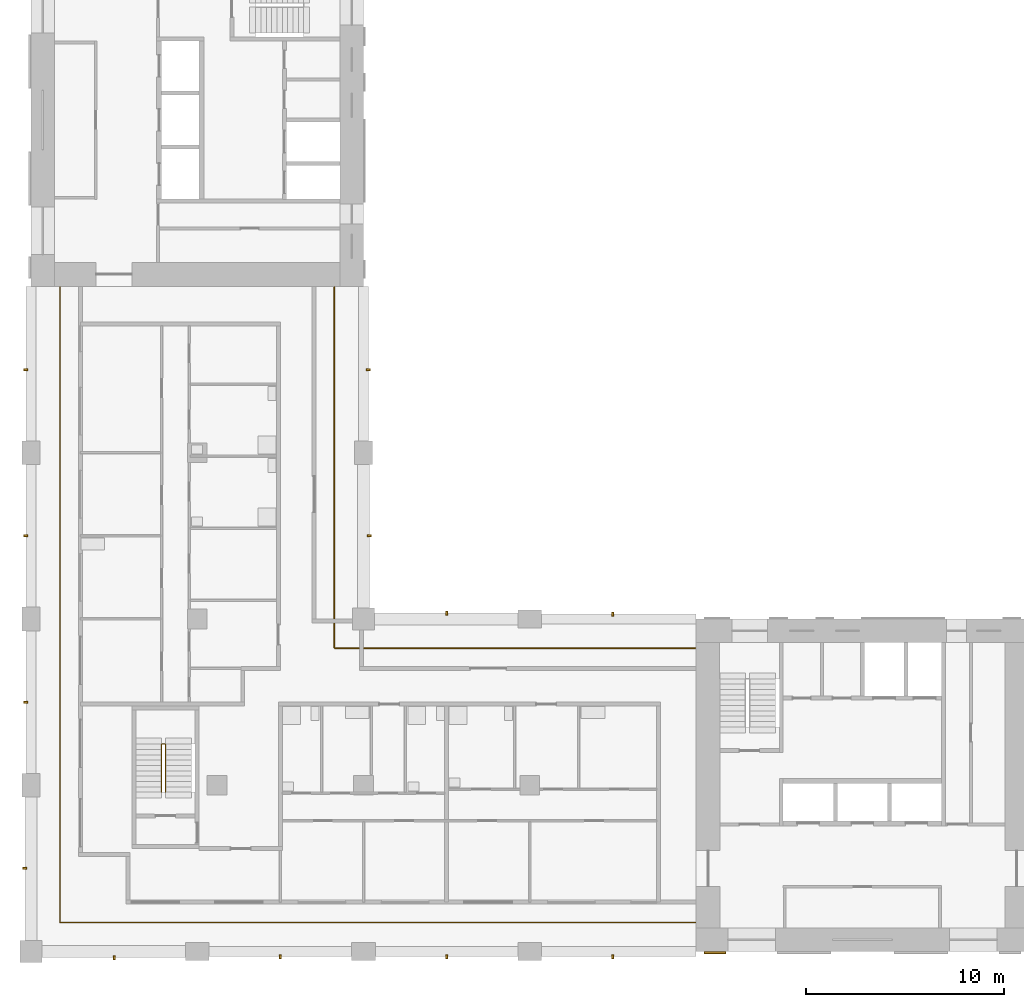
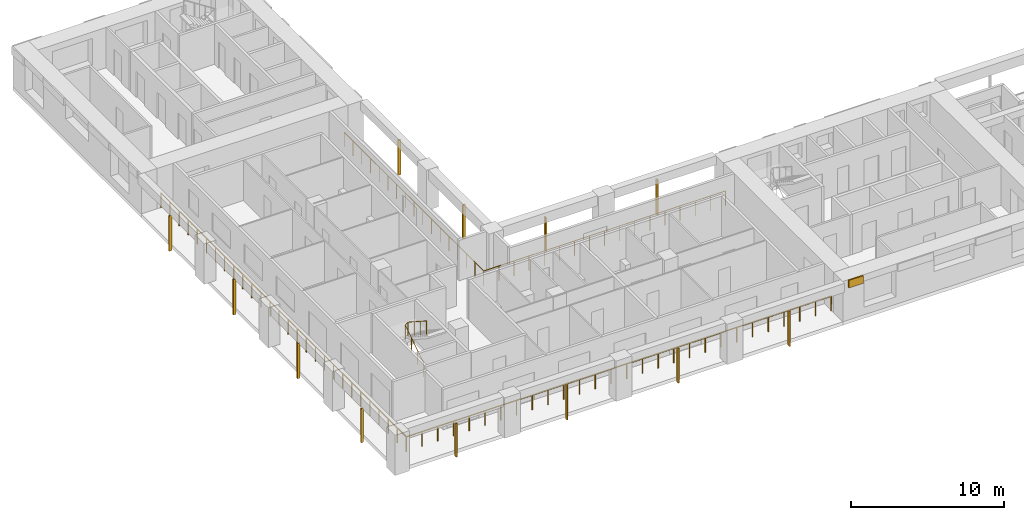
# One storey, part 7 of 10: 13 shading devices, 3 railings.
"""IFC4 building model written with IfcOpenShell, lengths in metres."""

from ifc_helpers import new_model, si_unit, direction, frame, origin, origin_2d, place, context, subcontext, project, spatial, rectangle, circle, extrude, material, layer, layer_set, material_profile, profile_set, type_object, element, save


model = new_model("IFC4")

# Units and contexts
model_context = context("Model", 3, precision=1e-05, world=origin(), true_north=direction((0.0, 1.0)))
body_context = subcontext(model_context, "Body", "Model", "MODEL_VIEW")
ifc_project = project(units=[si_unit("LENGTHUNIT", "METRE"), si_unit("AREAUNIT", "SQUARE_METRE"), si_unit("VOLUMEUNIT", "CUBIC_METRE"), si_unit("PLANEANGLEUNIT", "RADIAN"), si_unit("MASSUNIT", "GRAM", prefix="KILO")], contexts=[model_context])

# Site, building, storey
site_placement = place(None, origin())
site = spatial("IfcSite", under=ifc_project, at=site_placement, CompositionType="ELEMENT")
building_placement = place(site_placement, origin())
building = spatial("IfcBuilding", under=site, at=building_placement, Name="Vermilion Gate Residences", CompositionType="ELEMENT")
storey_placement = place(building_placement, frame((0.0, 0.0, 168.699951171875)))
storey = spatial("IfcBuildingStorey", under=building, at=storey_placement, Name="L43", CompositionType="ELEMENT", Elevation=168.699951171875)

# Railings
ifc_material_1 = material(Name="Stainless steel and toughened glass", Category="steel")
railing_type_1 = type_object("IfcRailingType", Name="LOGGIA GUARD STEEL AND GLASS 1200", PredefinedType="GUARDRAIL", material=ifc_material_1)
railing_1_placement = place(storey_placement, frame((41.97802734375, 23.72509765625, 0.0)))
element("IfcRailing", 1, at=railing_1_placement, inside=storey, type_object=railing_type_1, Name="Loggia guard", PredefinedType="GUARDRAIL", context=body_context, shape_type="SweptSolid", body=[
    extrude(circle(Radius=0.030029296875, at=origin_2d()), frame((0.0, 0.0, 1.169921875), z_axis=(-1.0, 0.0, 0.0), x_axis=(0.0, -1.0, 0.0)), (0.0, 0.0, 1.0), 18.2529296875),
    extrude(circle(Radius=0.030029296875, at=origin_2d()), frame((-18.2529296875, 0.0, 1.169921875), z_axis=(0.0, 1.0, 0.0), x_axis=(-1.0, 0.0, 0.0)), (0.0, 0.0, 1.0), 18.2529296875),
    extrude(circle(Radius=0.02490234375, at=origin_2d()), origin(), (0.0, 0.0, 1.0), 1.139892578125),
    extrude(circle(Radius=0.02490234375, at=origin_2d()), frame((-1.140869140625, 0.0, 0.0)), (0.0, 0.0, 1.0), 1.139892578125),
    extrude(circle(Radius=0.02490234375, at=origin_2d()), frame((-2.28173828125, 0.0, 0.0)), (0.0, 0.0, 1.0), 1.139892578125),
    extrude(circle(Radius=0.02490234375, at=origin_2d()), frame((-3.42236328125, 0.0, 0.0)), (0.0, 0.0, 1.0), 1.139892578125),
    extrude(circle(Radius=0.02490234375, at=origin_2d()), frame((-4.563232421875, 0.0, 0.0)), (0.0, 0.0, 1.0), 1.139892578125),
    extrude(circle(Radius=0.02490234375, at=origin_2d()), frame((-5.7041015625, 0.0, 0.0)), (0.0, 0.0, 1.0), 1.139892578125),
    extrude(circle(Radius=0.02490234375, at=origin_2d()), frame((-6.8447265625, 0.0, 0.0)), (0.0, 0.0, 1.0), 1.139892578125),
    extrude(circle(Radius=0.02490234375, at=origin_2d()), frame((-7.985595703125, 0.0, 0.0)), (0.0, 0.0, 1.0), 1.139892578125),
    extrude(circle(Radius=0.02490234375, at=origin_2d()), frame((-9.12646484375, 0.0, 0.0)), (0.0, 0.0, 1.0), 1.139892578125),
    extrude(circle(Radius=0.02490234375, at=origin_2d()), frame((-10.267333984375, 0.0, 0.0)), (0.0, 0.0, 1.0), 1.139892578125),
    extrude(circle(Radius=0.02490234375, at=origin_2d()), frame((-11.408203125, 0.0, 0.0)), (0.0, 0.0, 1.0), 1.139892578125),
    extrude(circle(Radius=0.02490234375, at=origin_2d()), frame((-12.548828125, 0.0, 0.0)), (0.0, 0.0, 1.0), 1.139892578125),
    extrude(circle(Radius=0.02490234375, at=origin_2d()), frame((-13.689697265625, 0.0, 0.0)), (0.0, 0.0, 1.0), 1.139892578125),
    extrude(circle(Radius=0.02490234375, at=origin_2d()), frame((-14.83056640625, 0.0, 0.0)), (0.0, 0.0, 1.0), 1.139892578125),
    extrude(circle(Radius=0.02490234375, at=origin_2d()), frame((-15.97119140625, 0.0, 0.0)), (0.0, 0.0, 1.0), 1.139892578125),
    extrude(circle(Radius=0.02490234375, at=origin_2d()), frame((-17.112060546875, 0.0, 0.0)), (0.0, 0.0, 1.0), 1.139892578125),
    extrude(circle(Radius=0.02490234375, at=origin_2d()), frame((-18.2529296875, 0.0, 0.0)), (0.0, 0.0, 1.0), 1.139892578125),
    extrude(circle(Radius=0.02490234375, at=origin_2d()), frame((-18.2529296875, 1.140869140625, 0.0)), (0.0, 0.0, 1.0), 1.139892578125),
    extrude(circle(Radius=0.02490234375, at=origin_2d()), frame((-18.2529296875, 2.28173828125, 0.0)), (0.0, 0.0, 1.0), 1.139892578125),
    extrude(circle(Radius=0.02490234375, at=origin_2d()), frame((-18.2529296875, 3.42236328125, 0.0)), (0.0, 0.0, 1.0), 1.139892578125),
    extrude(circle(Radius=0.02490234375, at=origin_2d()), frame((-18.2529296875, 4.563232421875, 0.0)), (0.0, 0.0, 1.0), 1.139892578125),
    extrude(circle(Radius=0.02490234375, at=origin_2d()), frame((-18.2529296875, 5.7041015625, 0.0)), (0.0, 0.0, 1.0), 1.139892578125),
    extrude(circle(Radius=0.02490234375, at=origin_2d()), frame((-18.2529296875, 6.8447265625, 0.0)), (0.0, 0.0, 1.0), 1.139892578125),
    extrude(circle(Radius=0.02490234375, at=origin_2d()), frame((-18.2529296875, 7.985595703125, 0.0)), (0.0, 0.0, 1.0), 1.139892578125),
    extrude(circle(Radius=0.02490234375, at=origin_2d()), frame((-18.2529296875, 9.12646484375, 0.0)), (0.0, 0.0, 1.0), 1.139892578125),
    extrude(circle(Radius=0.02490234375, at=origin_2d()), frame((-18.2529296875, 10.267333984375, 0.0)), (0.0, 0.0, 1.0), 1.139892578125),
    extrude(circle(Radius=0.02490234375, at=origin_2d()), frame((-18.2529296875, 11.408203125, 0.0)), (0.0, 0.0, 1.0), 1.139892578125),
    extrude(circle(Radius=0.02490234375, at=origin_2d()), frame((-18.2529296875, 12.548828125, 0.0)), (0.0, 0.0, 1.0), 1.139892578125),
    extrude(circle(Radius=0.02490234375, at=origin_2d()), frame((-18.2529296875, 13.689697265625, 0.0)), (0.0, 0.0, 1.0), 1.139892578125),
    extrude(circle(Radius=0.02490234375, at=origin_2d()), frame((-18.2529296875, 14.83056640625, 0.0)), (0.0, 0.0, 1.0), 1.139892578125),
    extrude(circle(Radius=0.02490234375, at=origin_2d()), frame((-18.2529296875, 15.97119140625, 0.0)), (0.0, 0.0, 1.0), 1.139892578125),
    extrude(circle(Radius=0.02490234375, at=origin_2d()), frame((-18.2529296875, 17.112060546875, 0.0)), (0.0, 0.0, 1.0), 1.139892578125),
    extrude(circle(Radius=0.02490234375, at=origin_2d()), frame((-18.2529296875, 18.2529296875, 0.0)), (0.0, 0.0, 1.0), 1.139892578125),
])
railing_2_placement = place(storey_placement, frame((9.875, 41.97802734375, 0.0)))
element("IfcRailing", 2, at=railing_2_placement, inside=storey, type_object=railing_type_1, Name="Loggia guard", PredefinedType="GUARDRAIL", context=body_context, shape_type="SweptSolid", body=[
    extrude(circle(Radius=0.030029296875, at=origin_2d()), frame((0.0, 0.0, 1.169921875), z_axis=(0.0, -1.0, 0.0), x_axis=(1.0, 0.0, 0.0)), (0.0, 0.0, 1.0), 32.10302734375),
    extrude(circle(Radius=0.030029296875, at=origin_2d()), frame((0.0, -32.10302734375, 1.169921875), z_axis=(1.0, 0.0, 0.0), x_axis=(0.0, 1.0, 0.0)), (0.0, 0.0, 1.0), 32.10302734375),
    extrude(circle(Radius=0.02490234375, at=origin_2d()), origin(), (0.0, 0.0, 1.0), 1.139892578125),
    extrude(circle(Radius=0.02490234375, at=origin_2d()), frame((0.0, -1.18896484375, 0.0)), (0.0, 0.0, 1.0), 1.139892578125),
    extrude(circle(Radius=0.02490234375, at=origin_2d()), frame((0.0, -2.3779296875, 0.0)), (0.0, 0.0, 1.0), 1.139892578125),
    extrude(circle(Radius=0.02490234375, at=origin_2d()), frame((0.0, -3.56689453125, 0.0)), (0.0, 0.0, 1.0), 1.139892578125),
    extrude(circle(Radius=0.02490234375, at=origin_2d()), frame((0.0, -4.756103515625, 0.0)), (0.0, 0.0, 1.0), 1.139892578125),
    extrude(circle(Radius=0.02490234375, at=origin_2d()), frame((0.0, -5.945068359375, 0.0)), (0.0, 0.0, 1.0), 1.139892578125),
    extrude(circle(Radius=0.02490234375, at=origin_2d()), frame((0.0, -7.134033203125, 0.0)), (0.0, 0.0, 1.0), 1.139892578125),
    extrude(circle(Radius=0.02490234375, at=origin_2d()), frame((0.0, -8.322998046875, 0.0)), (0.0, 0.0, 1.0), 1.139892578125),
    extrude(circle(Radius=0.02490234375, at=origin_2d()), frame((0.0, -9.511962890625, 0.0)), (0.0, 0.0, 1.0), 1.139892578125),
    extrude(circle(Radius=0.02490234375, at=origin_2d()), frame((0.0, -10.700927734375, 0.0)), (0.0, 0.0, 1.0), 1.139892578125),
    extrude(circle(Radius=0.02490234375, at=origin_2d()), frame((0.0, -11.889892578125, 0.0)), (0.0, 0.0, 1.0), 1.139892578125),
    extrude(circle(Radius=0.02490234375, at=origin_2d()), frame((0.0, -13.0791015625, 0.0)), (0.0, 0.0, 1.0), 1.139892578125),
    extrude(circle(Radius=0.02490234375, at=origin_2d()), frame((0.0, -14.26806640625, 0.0)), (0.0, 0.0, 1.0), 1.139892578125),
    extrude(circle(Radius=0.02490234375, at=origin_2d()), frame((0.0, -15.45703125, 0.0)), (0.0, 0.0, 1.0), 1.139892578125),
    extrude(circle(Radius=0.02490234375, at=origin_2d()), frame((0.0, -16.64599609375, 0.0)), (0.0, 0.0, 1.0), 1.139892578125),
    extrude(circle(Radius=0.02490234375, at=origin_2d()), frame((0.0, -17.8349609375, 0.0)), (0.0, 0.0, 1.0), 1.139892578125),
    extrude(circle(Radius=0.02490234375, at=origin_2d()), frame((0.0, -19.02392578125, 0.0)), (0.0, 0.0, 1.0), 1.139892578125),
    extrude(circle(Radius=0.02490234375, at=origin_2d()), frame((0.0, -20.213134765625, 0.0)), (0.0, 0.0, 1.0), 1.139892578125),
    extrude(circle(Radius=0.02490234375, at=origin_2d()), frame((0.0, -21.402099609375, 0.0)), (0.0, 0.0, 1.0), 1.139892578125),
    extrude(circle(Radius=0.02490234375, at=origin_2d()), frame((0.0, -22.591064453125, 0.0)), (0.0, 0.0, 1.0), 1.139892578125),
    extrude(circle(Radius=0.02490234375, at=origin_2d()), frame((0.0, -23.780029296875, 0.0)), (0.0, 0.0, 1.0), 1.139892578125),
    extrude(circle(Radius=0.02490234375, at=origin_2d()), frame((0.0, -24.968994140625, 0.0)), (0.0, 0.0, 1.0), 1.139892578125),
    extrude(circle(Radius=0.02490234375, at=origin_2d()), frame((0.0, -26.157958984375, 0.0)), (0.0, 0.0, 1.0), 1.139892578125),
    extrude(circle(Radius=0.02490234375, at=origin_2d()), frame((0.0, -27.346923828125, 0.0)), (0.0, 0.0, 1.0), 1.139892578125),
    extrude(circle(Radius=0.02490234375, at=origin_2d()), frame((0.0, -28.5361328125, 0.0)), (0.0, 0.0, 1.0), 1.139892578125),
    extrude(circle(Radius=0.02490234375, at=origin_2d()), frame((0.0, -29.72509765625, 0.0)), (0.0, 0.0, 1.0), 1.139892578125),
    extrude(circle(Radius=0.02490234375, at=origin_2d()), frame((0.0, -30.9140625, 0.0)), (0.0, 0.0, 1.0), 1.139892578125),
    extrude(circle(Radius=0.02490234375, at=origin_2d()), frame((0.0, -32.10302734375, 0.0)), (0.0, 0.0, 1.0), 1.139892578125),
    extrude(circle(Radius=0.02490234375, at=origin_2d()), frame((1.18896484375, -32.10302734375, 0.0)), (0.0, 0.0, 1.0), 1.139892578125),
    extrude(circle(Radius=0.02490234375, at=origin_2d()), frame((2.3779296875, -32.10302734375, 0.0)), (0.0, 0.0, 1.0), 1.139892578125),
    extrude(circle(Radius=0.02490234375, at=origin_2d()), frame((3.56689453125, -32.10302734375, 0.0)), (0.0, 0.0, 1.0), 1.139892578125),
    extrude(circle(Radius=0.02490234375, at=origin_2d()), frame((4.756103515625, -32.10302734375, 0.0)), (0.0, 0.0, 1.0), 1.139892578125),
    extrude(circle(Radius=0.02490234375, at=origin_2d()), frame((5.945068359375, -32.10302734375, 0.0)), (0.0, 0.0, 1.0), 1.139892578125),
    extrude(circle(Radius=0.02490234375, at=origin_2d()), frame((7.134033203125, -32.10302734375, 0.0)), (0.0, 0.0, 1.0), 1.139892578125),
    extrude(circle(Radius=0.02490234375, at=origin_2d()), frame((8.322998046875, -32.10302734375, 0.0)), (0.0, 0.0, 1.0), 1.139892578125),
    extrude(circle(Radius=0.02490234375, at=origin_2d()), frame((9.511962890625, -32.10302734375, 0.0)), (0.0, 0.0, 1.0), 1.139892578125),
    extrude(circle(Radius=0.02490234375, at=origin_2d()), frame((10.700927734375, -32.10302734375, 0.0)), (0.0, 0.0, 1.0), 1.139892578125),
    extrude(circle(Radius=0.02490234375, at=origin_2d()), frame((11.889892578125, -32.10302734375, 0.0)), (0.0, 0.0, 1.0), 1.139892578125),
    extrude(circle(Radius=0.02490234375, at=origin_2d()), frame((13.0791015625, -32.10302734375, 0.0)), (0.0, 0.0, 1.0), 1.139892578125),
    extrude(circle(Radius=0.02490234375, at=origin_2d()), frame((14.26806640625, -32.10302734375, 0.0)), (0.0, 0.0, 1.0), 1.139892578125),
    extrude(circle(Radius=0.02490234375, at=origin_2d()), frame((15.45703125, -32.10302734375, 0.0)), (0.0, 0.0, 1.0), 1.139892578125),
    extrude(circle(Radius=0.02490234375, at=origin_2d()), frame((16.64599609375, -32.10302734375, 0.0)), (0.0, 0.0, 1.0), 1.139892578125),
    extrude(circle(Radius=0.02490234375, at=origin_2d()), frame((17.8349609375, -32.10302734375, 0.0)), (0.0, 0.0, 1.0), 1.139892578125),
    extrude(circle(Radius=0.02490234375, at=origin_2d()), frame((19.02392578125, -32.10302734375, 0.0)), (0.0, 0.0, 1.0), 1.139892578125),
    extrude(circle(Radius=0.02490234375, at=origin_2d()), frame((20.213134765625, -32.10302734375, 0.0)), (0.0, 0.0, 1.0), 1.139892578125),
    extrude(circle(Radius=0.02490234375, at=origin_2d()), frame((21.402099609375, -32.10302734375, 0.0)), (0.0, 0.0, 1.0), 1.139892578125),
    extrude(circle(Radius=0.02490234375, at=origin_2d()), frame((22.591064453125, -32.10302734375, 0.0)), (0.0, 0.0, 1.0), 1.139892578125),
    extrude(circle(Radius=0.02490234375, at=origin_2d()), frame((23.780029296875, -32.10302734375, 0.0)), (0.0, 0.0, 1.0), 1.139892578125),
    extrude(circle(Radius=0.02490234375, at=origin_2d()), frame((24.968994140625, -32.10302734375, 0.0)), (0.0, 0.0, 1.0), 1.139892578125),
    extrude(circle(Radius=0.02490234375, at=origin_2d()), frame((26.157958984375, -32.10302734375, 0.0)), (0.0, 0.0, 1.0), 1.139892578125),
    extrude(circle(Radius=0.02490234375, at=origin_2d()), frame((27.346923828125, -32.10302734375, 0.0)), (0.0, 0.0, 1.0), 1.139892578125),
    extrude(circle(Radius=0.02490234375, at=origin_2d()), frame((28.5361328125, -32.10302734375, 0.0)), (0.0, 0.0, 1.0), 1.139892578125),
    extrude(circle(Radius=0.02490234375, at=origin_2d()), frame((29.72509765625, -32.10302734375, 0.0)), (0.0, 0.0, 1.0), 1.139892578125),
    extrude(circle(Radius=0.02490234375, at=origin_2d()), frame((30.9140625, -32.10302734375, 0.0)), (0.0, 0.0, 1.0), 1.139892578125),
    extrude(circle(Radius=0.02490234375, at=origin_2d()), frame((32.10302734375, -32.10302734375, 0.0)), (0.0, 0.0, 1.0), 1.139892578125),
])
ifc_material_2 = material(Name="Steel S355", Category="steel")
railing_type_2 = type_object("IfcRailingType", Name="STAIR GUARD 1100 STEEL", PredefinedType="GUARDRAIL", material=ifc_material_2)
railing_3_placement = place(storey_placement, frame((15.0, 16.449951171875, 0.175048828125)))
element("IfcRailing", 3, at=railing_3_placement, inside=storey, type_object=railing_type_2, Name="Stair well guard STC1-43", PredefinedType="GUARDRAIL", context=body_context, shape_type="SweptSolid", body=[
    extrude(circle(Radius=0.02392578125, at=origin_2d()), frame((0.0, 0.0, 1.076171875), z_axis=(0.0, 0.839153699163, 0.543894354798), x_axis=(-1.0, 0.0, 0.0)), (0.0, 0.0, 1.0), 2.895751953125),
    extrude(circle(Radius=0.02392578125, at=origin_2d()), frame((0.0, 2.429931640625, 2.65087890625), z_axis=(0.752405939678, 0.0, 0.658699705433), x_axis=(0.0, 1.0, 0.0)), (0.0, 0.0, 1.0), 0.265869140625),
    extrude(circle(Radius=0.02392578125, at=origin_2d()), frame((0.199951171875, 2.429931640625, 2.826171875), z_axis=(0.0, -0.839153699163, 0.543894354798), x_axis=(1.0, 0.0, 0.0)), (0.0, 0.0, 1.0), 2.895751953125),
    extrude(circle(Radius=0.02099609375, at=origin_2d()), origin(), (0.0, 0.0, 1.0), 1.052001953125),
    extrude(circle(Radius=0.02099609375, at=origin_2d()), frame((0.0, 0.81005859375, 0.52490234375)), (0.0, 0.0, 1.0), 1.052001953125),
    extrude(circle(Radius=0.02099609375, at=origin_2d()), frame((0.0, 1.619873046875, 1.050048828125)), (0.0, 0.0, 1.0), 1.052001953125),
    extrude(circle(Radius=0.02099609375, at=origin_2d()), frame((0.0, 2.429931640625, 1.574951171875)), (0.0, 0.0, 1.0), 1.052001953125),
    extrude(circle(Radius=0.02099609375, at=origin_2d()), frame((0.199951171875, 2.429931640625, 1.75)), (0.0, 0.0, 1.0), 1.052001953125),
    extrude(circle(Radius=0.02099609375, at=origin_2d()), frame((0.199951171875, 1.619873046875, 2.27490234375)), (0.0, 0.0, 1.0), 1.052001953125),
    extrude(circle(Radius=0.02099609375, at=origin_2d()), frame((0.199951171875, 0.81005859375, 2.800048828125)), (0.0, 0.0, 1.0), 1.052001953125),
    extrude(circle(Radius=0.02099609375, at=origin_2d()), frame((0.199951171875, 0.0, 3.324951171875)), (0.0, 0.0, 1.0), 1.052001953125),
])

# Shading devices
ifc_material_3 = material(Name="Extruded terracotta", Category="masonry")
ifc_material_profile = material_profile(ifc_material_3, rectangle(XDim=0.199951171875, YDim=0.10009765625, at=origin_2d()), Name="BAGUETTE 100 X 200")
ifc_profile_set = profile_set([ifc_material_profile], Name="Extruded terracotta")
shading_device_type_1 = type_object("IfcShadingDeviceType", Name="TERRACOTTA BAGUETTE 100 X 200", PredefinedType="JALOUSIE", material=ifc_profile_set)
shading_device_1_placement = place(storey_placement, frame((12.60009765625, 8.10009765625, -0.280029296875), z_axis=(0.0, 0.0, 1.0), x_axis=(0.0, 1.0, 0.0)))
element("IfcShadingDevice", 4, at=shading_device_1_placement, inside=storey, type_object=shading_device_type_1, Name="BAGUETTE", PredefinedType="JALOUSIE", context=body_context, shape_type="SweptSolid", body=[
    extrude(rectangle(XDim=0.199951171875, YDim=0.10009765625, at=origin_2d()), origin(), (0.0, 0.0, 1.0), 2.7001953125),
])
for number, where, z_axis, x_axis, name in (
    (5, (21.0, 8.14990234375, -0.280029296875), (0.0, 0.0, 1.0), (0.0, 1.0, 0.0), "BAGUETTE"),
    (6, (29.39990234375, 8.14990234375, -0.280029296875), (0.0, 0.0, 1.0), (0.0, 1.0, 0.0), "BAGUETTE"),
    (7, (37.800048828125, 8.14990234375, -0.280029296875), (0.0, 0.0, 1.0), (0.0, 1.0, 0.0), "BAGUETTE"),
):
    element("IfcShadingDevice", number, at=place(storey_placement, frame(where, z_axis=z_axis, x_axis=x_axis)), inside=storey, type_object=shading_device_type_1, Name=name, PredefinedType="JALOUSIE", context=body_context, shape_type="SweptSolid", body=[
        extrude(rectangle(XDim=0.199951171875, YDim=0.10009765625, at=origin_2d()), origin(), (0.0, 0.0, 1.0), 2.800048828125),
    ])
shading_device_2_placement = place(storey_placement, frame((29.39990234375, 25.5, -0.280029296875), z_axis=(0.0, 0.0, 1.0), x_axis=(0.0, -1.0, 0.0)))
element("IfcShadingDevice", 8, at=shading_device_2_placement, inside=storey, type_object=shading_device_type_1, Name="BAGUETTE", PredefinedType="JALOUSIE", context=body_context, shape_type="SweptSolid", body=[
    extrude(rectangle(XDim=0.199951171875, YDim=0.10009765625, at=origin_2d()), origin(), (0.0, 0.0, 1.0), 2.7001953125),
])
shading_device_3_placement = place(storey_placement, frame((37.800048828125, 25.449951171875, -0.280029296875), z_axis=(0.0, 0.0, 1.0), x_axis=(0.0, -1.0, 0.0)))
element("IfcShadingDevice", 9, at=shading_device_3_placement, inside=storey, type_object=shading_device_type_1, Name="BAGUETTE", PredefinedType="JALOUSIE", context=body_context, shape_type="SweptSolid", body=[
    extrude(rectangle(XDim=0.199951171875, YDim=0.10009765625, at=origin_2d()), origin(), (0.0, 0.0, 1.0), 2.800048828125),
])
shading_device_4_placement = place(storey_placement, frame((25.5, 29.39990234375, -0.280029296875), z_axis=(0.0, 0.0, 1.0), x_axis=(-1.0, 0.0, 0.0)))
element("IfcShadingDevice", 10, at=shading_device_4_placement, inside=storey, type_object=shading_device_type_1, Name="BAGUETTE", PredefinedType="JALOUSIE", context=body_context, shape_type="SweptSolid", body=[
    extrude(rectangle(XDim=0.199951171875, YDim=0.10009765625, at=origin_2d()), origin(), (0.0, 0.0, 1.0), 2.7001953125),
])
shading_device_5_placement = place(storey_placement, frame((25.449951171875, 37.800048828125, -0.280029296875), z_axis=(0.0, 0.0, 1.0), x_axis=(-1.0, 0.0, 0.0)))
element("IfcShadingDevice", 11, at=shading_device_5_placement, inside=storey, type_object=shading_device_type_1, Name="BAGUETTE", PredefinedType="JALOUSIE", context=body_context, shape_type="SweptSolid", body=[
    extrude(rectangle(XDim=0.199951171875, YDim=0.10009765625, at=origin_2d()), origin(), (0.0, 0.0, 1.0), 2.800048828125),
])
shading_device_6_placement = place(storey_placement, frame((8.10009765625, 12.60009765625, -0.280029296875), z_axis=(0.0, 0.0, 1.0), x_axis=(1.0, 0.0, 0.0)))
element("IfcShadingDevice", 12, at=shading_device_6_placement, inside=storey, type_object=shading_device_type_1, Name="BAGUETTE", PredefinedType="JALOUSIE", context=body_context, shape_type="SweptSolid", body=[
    extrude(rectangle(XDim=0.199951171875, YDim=0.10009765625, at=origin_2d()), origin(), (0.0, 0.0, 1.0), 2.7001953125),
])
for number, where, z_axis, x_axis, name in (
    (13, (8.14990234375, 21.0, -0.280029296875), (0.0, 0.0, 1.0), (1.0, 0.0, 0.0), "BAGUETTE"),
    (14, (8.14990234375, 29.39990234375, -0.280029296875), (0.0, 0.0, 1.0), (1.0, 0.0, 0.0), "BAGUETTE"),
    (15, (8.14990234375, 37.800048828125, -0.280029296875), (0.0, 0.0, 1.0), (1.0, 0.0, 0.0), "BAGUETTE"),
):
    element("IfcShadingDevice", number, at=place(storey_placement, frame(where, z_axis=z_axis, x_axis=x_axis)), inside=storey, type_object=shading_device_type_1, Name=name, PredefinedType="JALOUSIE", context=body_context, shape_type="SweptSolid", body=[
        extrude(rectangle(XDim=0.199951171875, YDim=0.10009765625, at=origin_2d()), origin(), (0.0, 0.0, 1.0), 2.800048828125),
    ])
ifc_material_4 = material(Name="Extruded terracotta", Category="masonry")
ifc_layer = layer(ifc_material_4, 0.10009765625)
ifc_layer_set = layer_set([ifc_layer], Name="TERRACOTTA SPANDREL BAND 600 X 100")
shading_device_type_2 = type_object("IfcShadingDeviceType", Name="TERRACOTTA SPANDREL BAND 600 X 100", PredefinedType="USERDEFINED", material=ifc_layer_set)
shading_device_7_placement = place(storey_placement, frame((42.949951171875, 8.35009765625, 2.6201171875), z_axis=(0.0, 0.0, 1.0), x_axis=(1.0, 0.0, 0.0)))
element("IfcShadingDevice", 16, at=shading_device_7_placement, inside=storey, type_object=shading_device_type_2, Name="SPANDREL BAND", ObjectType="BAND", PredefinedType="USERDEFINED", context=body_context, shape_type="SweptSolid", body=[
    extrude(rectangle(XDim=1.10009765625, YDim=0.10009765625, at=origin_2d()), origin(), (0.0, 0.0, 1.0), 0.60009765625),
])

save(model, "model.ifc")
